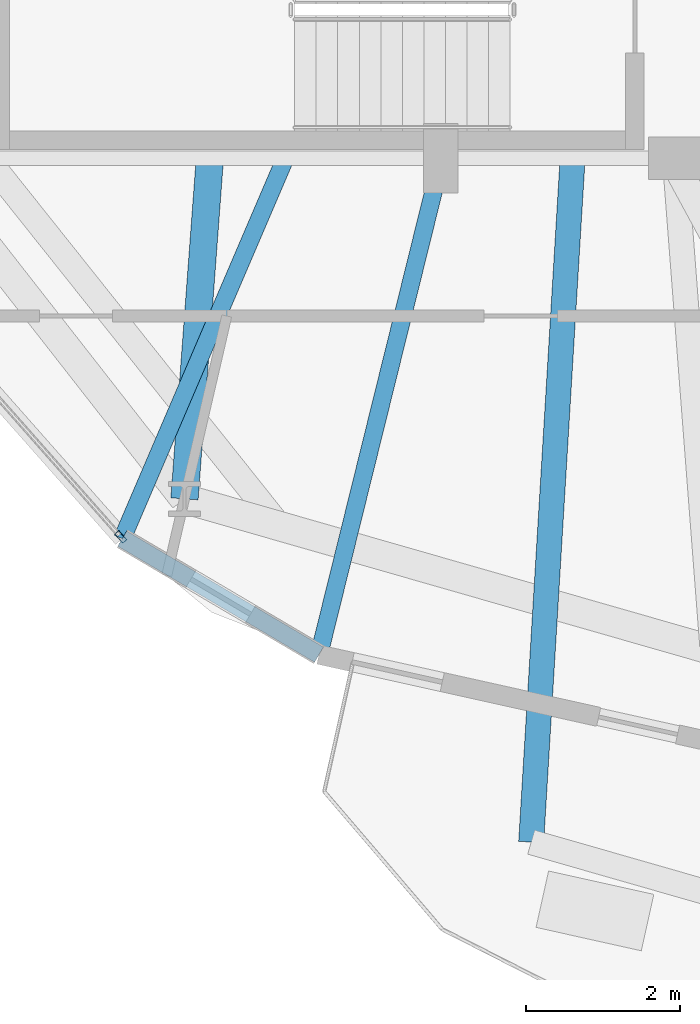
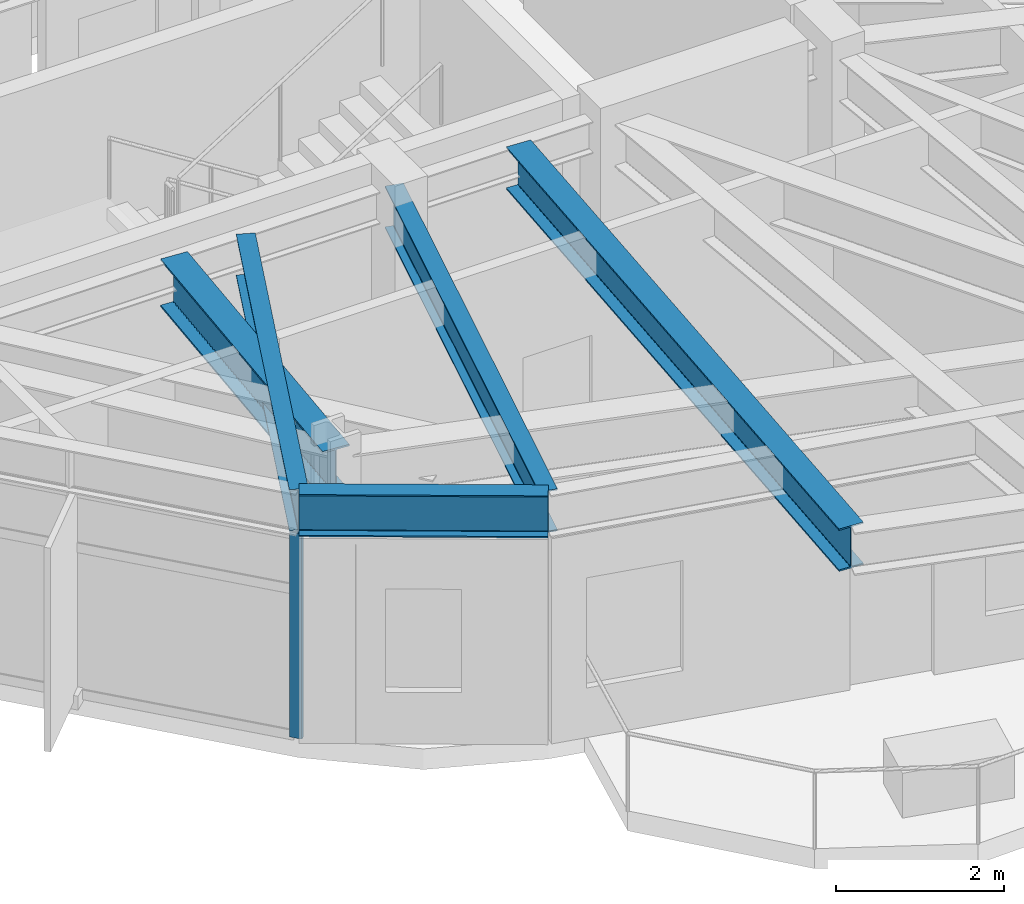
# One storey, part 2 of 23: 5 beams, 1 member, 1 element without a shape of its own.
"""IFC4 building model written with IfcOpenShell, lengths in metres."""

import ifcopenshell
import ifcopenshell.guid

model = None  # the IFC model being written
_history = None  # IfcOwnerHistory: only IFC2X3 demands one
_inside = {}  # id of a spatial element -> (the spatial element, [elements in it])
_under = {}  # id of a project, library or spatial element -> (it, [spatial elements below it])
_declared = {}  # id of a project -> (the project, [libraries it declares])
_typed = {}  # id of a type object -> (the type object, [elements of that type])
_made_of = {}  # id of a material, layer set ... -> (it, [elements and type objects made of it])


def new_model(schema):
    """Start an empty IFC model of exactly this schema.

    Asked for "IFC4X3", IfcOpenShell would pick the latest addendum, in which some entities
    have other attributes; the version numbers below select the first issue.
    IFC2X3 requires an IfcOwnerHistory on every rooted entity: one is made here for all.
    """
    global model, _history
    if schema == "IFC4X3":
        model = ifcopenshell.file(schema_version=(4, 3, 0, 0))
    else:
        model = ifcopenshell.file(schema=schema)
    _inside.clear()
    _under.clear()
    _declared.clear()
    _typed.clear()
    _made_of.clear()
    _history = None
    if model.schema == "IFC2X3":
        org = make("IfcOrganization", Name="unknown")
        user = make(
            "IfcPersonAndOrganization",
            ThePerson=make("IfcPerson", FamilyName="unknown"),
            TheOrganization=org,
        )
        app = make(
            "IfcApplication",
            ApplicationDeveloper=org,
            Version="unknown",
            ApplicationFullName="unknown",
            ApplicationIdentifier="unknown",
        )
        _history = make(
            "IfcOwnerHistory",
            OwningUser=user,
            OwningApplication=app,
            ChangeAction="ADDED",
            CreationDate=0,
        )
    return model


def make(cls, **values):
    """One entity of the class cls with the attributes given. An attribute that is None is left unset."""
    return model.create_entity(
        cls, **{name: value for name, value in values.items() if value is not None}
    )


def rooted(cls, **values):
    """An entity with a GlobalId (a new one), such as an element, a storey or a relation."""
    return make(cls, GlobalId=ifcopenshell.guid.new(), OwnerHistory=_history, **values)


def si_unit(unit_type, name, prefix=None):
    """IfcSIUnit, for example si_unit("LENGTHUNIT", "METRE", prefix="MILLI")."""
    return make("IfcSIUnit", UnitType=unit_type, Prefix=prefix, Name=name)


def assignment(units):
    """IfcUnitAssignment: the units of a project."""
    return None if units is None else make("IfcUnitAssignment", Units=units)


def point(xyz):
    """IfcCartesianPoint."""
    return None if xyz is None else make("IfcCartesianPoint", Coordinates=xyz)


def direction(xyz):
    """IfcDirection."""
    return None if xyz is None else make("IfcDirection", DirectionRatios=xyz)


def frame(location, z_axis=None, x_axis=None):
    """IfcAxis2Placement3D, a coordinate frame: its origin and axes. An axis left out is left unset."""
    return make(
        "IfcAxis2Placement3D",
        Location=point(location),
        Axis=direction(z_axis),
        RefDirection=direction(x_axis),
    )


def frame_2d(location, x_axis=None):
    """IfcAxis2Placement2D, a coordinate frame in the plane: its origin and x axis."""
    return make(
        "IfcAxis2Placement2D", Location=point(location), RefDirection=direction(x_axis)
    )


def origin():
    """The frame at (0, 0, 0) with its axes left unset."""
    return frame((0.0, 0.0, 0.0))


def origin_2d():
    """The frame at (0, 0) in the plane with its x axis left unset."""
    return frame_2d((0.0, 0.0))


def place(relative_to, where):
    """IfcLocalPlacement: puts the frame where relative to a parent placement (None: the world)."""
    return make(
        "IfcLocalPlacement", PlacementRelTo=relative_to, RelativePlacement=where
    )


def context(
    kind, dimensions, precision=None, world=None, true_north=None, identifier=None
):
    """IfcGeometricRepresentationContext, for example the 3D "Model" context."""
    return make(
        "IfcGeometricRepresentationContext",
        ContextIdentifier=identifier,
        ContextType=kind,
        CoordinateSpaceDimension=dimensions,
        Precision=precision,
        WorldCoordinateSystem=world,
        TrueNorth=true_north,
    )


def subcontext(parent, identifier, kind, view, scale=None):
    """IfcGeometricRepresentationSubContext, for example "Body" below "Model"."""
    return make(
        "IfcGeometricRepresentationSubContext",
        ContextIdentifier=identifier,
        ContextType=kind,
        ParentContext=parent,
        TargetScale=scale,
        TargetView=view,
    )


def project(units=None, contexts=None):
    """IfcProject with its units and contexts."""
    return rooted(
        "IfcProject",
        Name="project",
        RepresentationContexts=contexts,
        UnitsInContext=assignment(units),
    )


def spatial(cls, under=None, at=None, **own):
    """A site, building, storey or space (cls), placed at a placement, below another one or the project."""
    s = rooted(cls, ObjectPlacement=at, **own)
    if under is not None:
        _under.setdefault(under.id(), (under, []))[1].append(s)
    return s


def profile(cls, at=None, kind="AREA", **sizes):
    """A parametric profile (cls). Its sizes go by their IFC names, for example OverallWidth=200.0."""
    return make(cls, ProfileType=kind, Position=at, **sizes)


def hollow_rectangle(**sizes):
    """IfcRectangleHollowProfileDef."""
    return profile("IfcRectangleHollowProfileDef", **sizes)


def i_section(**sizes):
    """IfcIShapeProfileDef."""
    return profile("IfcIShapeProfileDef", **sizes)


def extrude(swept, where, along, depth):
    """IfcExtrudedAreaSolid: the profile swept, set in the frame where, extruded along a direction by depth."""
    return make(
        "IfcExtrudedAreaSolid",
        SweptArea=swept,
        Position=where,
        ExtrudedDirection=direction(along),
        Depth=depth,
    )


def shape(context_of_items, identifier, shape_type, items):
    """IfcShapeRepresentation: the items that make up one representation, for example the "Body"."""
    return make(
        "IfcShapeRepresentation",
        ContextOfItems=context_of_items,
        RepresentationIdentifier=identifier,
        RepresentationType=shape_type,
        Items=items,
    )


def material(Name=None, Category=None):
    """IfcMaterial."""
    return make("IfcMaterial", Name=Name, Category=Category)


def layer(
    of_material, thickness, ventilated=None, Name=None, Category=None, Priority=None
):
    """IfcMaterialLayer: one layer of a wall or slab, of a material (None: an air gap)."""
    return make(
        "IfcMaterialLayer",
        Material=of_material,
        LayerThickness=thickness,
        IsVentilated=ventilated,
        Name=Name,
        Category=Category,
        Priority=Priority,
    )


def layer_set(layers, Name=None):
    """IfcMaterialLayerSet."""
    return make("IfcMaterialLayerSet", MaterialLayers=layers, LayerSetName=Name)


def material_profile(
    of_material, cross_section, Name=None, Category=None, Priority=None
):
    """IfcMaterialProfile: a cross section and its material."""
    return make(
        "IfcMaterialProfile",
        Name=Name,
        Material=of_material,
        Profile=cross_section,
        Priority=Priority,
        Category=Category,
    )


def profile_set(profiles, Name=None, composite=None):
    """IfcMaterialProfileSet."""
    return make(
        "IfcMaterialProfileSet",
        Name=Name,
        MaterialProfiles=profiles,
        CompositeProfile=composite,
    )


def made_of(thing, what):
    """Note that an element or type object is made of a material, layer set ...; save() writes the relation."""
    if what is not None:
        _made_of.setdefault(what.id(), (what, []))[1].append(thing)
    return thing


def type_object(cls, material=None, **own):
    """A type object (cls), such as IfcWallType, which elements share."""
    return made_of(rooted(cls, **own), material)


def element(
    cls,
    number,
    at=None,
    inside=None,
    cuts=None,
    type_object=None,
    material=None,
    context=None,
    identifier="Body",
    shape_type=None,
    held_by="IfcProductDefinitionShape",
    body=None,
    shapes=None,
    **own,
):
    """One element of the class cls, such as IfcWall. Its Tag is "e" and its number.

    at: its placement. inside: the storey or other place that contains it. cuts: it is an
    opening in that element (IfcRelVoidsElement). A single representation is given by context,
    identifier, shape_type and body (its items); several are given by shapes. held_by: the class
    of the entity that holds the representations. save() writes the other relations.
    """
    e = rooted(cls, Tag="e%d" % number, ObjectPlacement=at, **own)
    if body is not None:
        shapes = [shape(context, identifier, shape_type, body)]
    if shapes is not None:
        e.Representation = make(held_by, Representations=shapes)
    if inside is not None:
        _inside.setdefault(inside.id(), (inside, []))[1].append(e)
    if cuts is not None:
        rooted(
            "IfcRelVoidsElement", RelatingBuildingElement=cuts, RelatedOpeningElement=e
        )
    if type_object is not None:
        _typed.setdefault(type_object.id(), (type_object, []))[1].append(e)
    return made_of(e, material)


def aggregate(whole, parts):
    """IfcRelAggregates: a whole, such as a stair, and the parts it consists of."""
    return rooted("IfcRelAggregates", RelatingObject=whole, RelatedObjects=parts)


def save(model, path):
    """Write the relations noted so far, then the file.

    IfcRelAggregates (storeys below a building ...), IfcRelContainedInSpatialStructure (elements
    in a storey), IfcRelDefinesByType, IfcRelAssociatesMaterial and IfcRelDeclares: one each for
    every whole, place, type object, material and project.
    """
    for whole, parts in _under.values():
        aggregate(whole, parts)
    for where, things in _inside.values():
        rooted(
            "IfcRelContainedInSpatialStructure",
            RelatedElements=things,
            RelatingStructure=where,
        )
    for kind, things in _typed.values():
        rooted("IfcRelDefinesByType", RelatedObjects=things, RelatingType=kind)
    for what, things in _made_of.values():
        rooted("IfcRelAssociatesMaterial", RelatedObjects=things, RelatingMaterial=what)
    for by, libraries in _declared.values():
        rooted("IfcRelDeclares", RelatingContext=by, RelatedDefinitions=libraries)
    model.write(path)


model = new_model("IFC4")

# Units and contexts
model_context = context("Model", 3, precision=1e-05, world=origin(), true_north=direction((0.0, 1.0)))
body_context = subcontext(model_context, "Body", "Model", "MODEL_VIEW")
ifc_project = project(units=[si_unit("LENGTHUNIT", "METRE"), si_unit("AREAUNIT", "SQUARE_METRE"), si_unit("VOLUMEUNIT", "CUBIC_METRE"), si_unit("PLANEANGLEUNIT", "RADIAN"), si_unit("MASSUNIT", "GRAM", prefix="KILO")], contexts=[model_context])

# Site, building, storey
site_placement = place(None, origin())
site = spatial("IfcSite", under=ifc_project, at=site_placement, CompositionType="ELEMENT")
building_placement = place(site_placement, origin())
building = spatial("IfcBuilding", under=site, at=building_placement, Name="Soratama Intermodal Tower", CompositionType="ELEMENT")
storey_placement = place(building_placement, frame((0.0, 0.0, 118.60009765625)))
storey = spatial("IfcBuildingStorey", under=building, at=storey_placement, Name="L28", CompositionType="ELEMENT", Elevation=118.60009765625)

# Beams
ifc_material_1 = material(Name="Structural steel ASTM A992 Grade 50", Category="steel")
ifc_material_profile_1 = material_profile(ifc_material_1, i_section(OverallWidth=0.324951171875, OverallDepth=0.615966796875, WebThickness=0.013916015625, FlangeThickness=0.021484375, FilletRadius=0.013916015625, at=origin_2d()), Name="W24X117")
ifc_profile_set_1 = profile_set([ifc_material_profile_1], Name="Structural steel ASTM A992 Grade 50")
beam_type_1 = type_object("IfcBeamType", Name="BM-CANT-W24X117", PredefinedType="BEAM", material=ifc_profile_set_1)
beam_1_placement = place(storey_placement, frame((40.30908203125, 14.9599609375, 3.2919921875), z_axis=(-0.06051669305, -0.998167185326, 0.0), x_axis=(0.998167185326, -0.06051669305, 0.0)))
element("IfcBeam", 1, at=beam_1_placement, inside=storey, type_object=beam_type_1, Name="BM-L28-CANT-3-1", PredefinedType="BEAM", context=body_context, shape_type="SweptSolid", body=[
    extrude(i_section(OverallWidth=0.324951171875, OverallDepth=0.615966796875, WebThickness=0.013916015625, FlangeThickness=0.021484375, FilletRadius=0.013916015625, at=origin_2d()), origin(), (0.0, 0.0, 1.0), 8.859375),
])
ifc_material_2 = material(Name="Structural steel ASTM A992 Grade 50", Category="steel")
ifc_material_profile_2 = material_profile(ifc_material_2, i_section(OverallWidth=0.35498046875, OverallDepth=0.695068359375, WebThickness=0.015380859375, FlangeThickness=0.02490234375, FilletRadius=0.01611328125, at=origin_2d()), Name="W27X146")
ifc_profile_set_2 = profile_set([ifc_material_profile_2], Name="Structural steel ASTM A992 Grade 50")
beam_type_2 = type_object("IfcBeamType", Name="BM-RING-W27X146", PredefinedType="BEAM", material=ifc_profile_set_2)
beam_2_placement = place(storey_placement, frame((35.60009765625, 15.0, 3.25244140625), z_axis=(-0.074386442563, -0.997229490721, 0.0), x_axis=(0.997229490721, -0.074386442563, 0.0)))
element("IfcBeam", 2, at=beam_2_placement, inside=storey, type_object=beam_type_2, Name="BM-L28-RAD-07", PredefinedType="BEAM", context=body_context, shape_type="SweptSolid", body=[
    extrude(i_section(OverallWidth=0.35498046875, OverallDepth=0.695068359375, WebThickness=0.015380859375, FlangeThickness=0.02490234375, FilletRadius=0.01611328125, at=origin_2d()), origin(), (0.0, 0.0, 1.0), 4.437255859375),
])
ifc_material_3 = material(Name="Structural steel ASTM A992 Grade 50", Category="steel")
ifc_material_profile_3 = material_profile(ifc_material_3, i_section(OverallWidth=0.22900390625, OverallDepth=0.612060546875, WebThickness=0.011962890625, FlangeThickness=0.01953125, FilletRadius=0.012939453125, at=origin_2d()), Name="W24X84")
ifc_profile_set_3 = profile_set([ifc_material_profile_3], Name="Structural steel ASTM A992 Grade 50")
beam_type_3 = type_object("IfcBeamType", Name="BM-SPN-W24X84", PredefinedType="SPANDREL", material=ifc_profile_set_3)
beam_3_placement = place(storey_placement, frame((34.4619140625, 10.05810546875, 3.2939453125), z_axis=(0.861339124971, -0.508030424083, 0.0), x_axis=(0.508030424083, 0.861339124971, 0.0)))
element("IfcBeam", 3, at=beam_3_placement, inside=storey, type_object=beam_type_3, Name="BS-L28-CRN06", PredefinedType="SPANDREL", context=body_context, shape_type="SweptSolid", body=[
    extrude(i_section(OverallWidth=0.22900390625, OverallDepth=0.612060546875, WebThickness=0.011962890625, FlangeThickness=0.01953125, FilletRadius=0.012939453125, at=origin_2d()), origin(), (0.0, 0.0, 1.0), 2.966552734375),
])
ifc_material_4 = material(Name="Structural steel ASTM A992 Grade 50", Category="steel")
ifc_material_profile_4 = material_profile(ifc_material_4, i_section(OverallWidth=0.22900390625, OverallDepth=0.612060546875, WebThickness=0.011962890625, FlangeThickness=0.01953125, FilletRadius=0.012939453125, at=origin_2d()), Name="W24X84")
ifc_profile_set_4 = profile_set([ifc_material_profile_4], Name="Structural steel ASTM A992 Grade 50")
beam_type_4 = type_object("IfcBeamType", Name="BM-TIE-W24X84", PredefinedType="BEAM", material=ifc_profile_set_4)
beam_4_placement = place(storey_placement, frame((36.56396484375, 14.962890625, 3.2939453125), z_axis=(-0.393919298579, -0.919145030018, 0.0), x_axis=(0.919145030018, -0.393919298579, 0.0)))
element("IfcBeam", 4, at=beam_4_placement, inside=storey, type_object=beam_type_4, Name="BM-L28-TIE1-06", PredefinedType="BEAM", context=body_context, shape_type="SweptSolid", body=[
    extrude(i_section(OverallWidth=0.22900390625, OverallDepth=0.612060546875, WebThickness=0.011962890625, FlangeThickness=0.01953125, FilletRadius=0.012939453125, at=origin_2d()), origin(), (0.0, 0.0, 1.0), 5.336181640625),
])
beam_5_placement = place(storey_placement, frame((38.60205078125, 14.9609375, 3.2939453125), z_axis=(-0.240037960658, -0.970763502323, 0.0), x_axis=(0.970763502323, -0.240037960658, 0.0)))
element("IfcBeam", 5, at=beam_5_placement, inside=storey, type_object=beam_type_4, Name="BM-L28-TIE0-07", PredefinedType="BEAM", context=body_context, shape_type="SweptSolid", body=[
    extrude(i_section(OverallWidth=0.22900390625, OverallDepth=0.612060546875, WebThickness=0.011962890625, FlangeThickness=0.01953125, FilletRadius=0.012939453125, at=origin_2d()), origin(), (0.0, 0.0, 1.0), 6.60302734375),
])

# Curtain wall, member
ifc_material_5 = material(Name="Double-glazed aluminium curtain wall", Category="aluminium")
ifc_layer = layer(ifc_material_5, 0.159912109375)
ifc_layer_set = layer_set([ifc_layer], Name="Double-glazed aluminium curtain wall")
curtain_wall_type = type_object("IfcCurtainWallType", Name="CW-SYS-3", PredefinedType="NOTDEFINED", material=ifc_layer_set)
curtain_wall_placement = place(storey_placement, origin())
curtain_wall = element("IfcCurtainWall", 6, at=curtain_wall_placement, inside=storey, type_object=curtain_wall_type, Name="L28 Faceted Curtain Wall F06", PredefinedType="NOTDEFINED")
ifc_material_6 = material(Name="Anodised aluminium AA 6063-T6", Category="aluminium")
ifc_material_profile_5 = material_profile(ifc_material_6, hollow_rectangle(XDim=0.070068359375, YDim=0.159912109375, WallThickness=0.0048828125, InnerFilletRadius=0.0048828125, OuterFilletRadius=0.010009765625, at=origin_2d()), Name="CWM160X70X5")
ifc_profile_set_5 = profile_set([ifc_material_profile_5], Name="Anodised aluminium AA 6063-T6")
member_type = type_object("IfcMemberType", Name="MT-CWM-3", PredefinedType="MULLION", material=ifc_profile_set_5)
member_placement = place(storey_placement, frame((34.442626953125, 10.080810546875, 0.0), z_axis=(0.0, 0.0, 1.0), x_axis=(0.749417662671, 0.662097550877, 0.0)))
member = element("IfcMember", 7, at=member_placement, type_object=member_type, Name="CW-3 mullion 2", PredefinedType="MULLION", context=body_context, shape_type="SweptSolid", body=[
    extrude(hollow_rectangle(XDim=0.070068359375, YDim=0.159912109375, WallThickness=0.0048828125, InnerFilletRadius=0.0048828125, OuterFilletRadius=0.010009765625, at=origin_2d()), origin(), (0.0, 0.0, 1.0), 2.97900390625),
])
aggregate(curtain_wall, [member])

save(model, "model.ifc")
